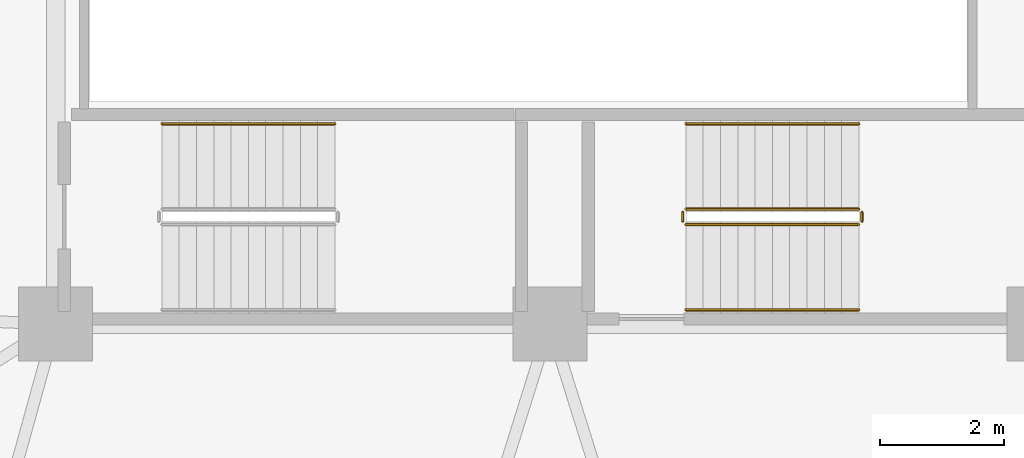
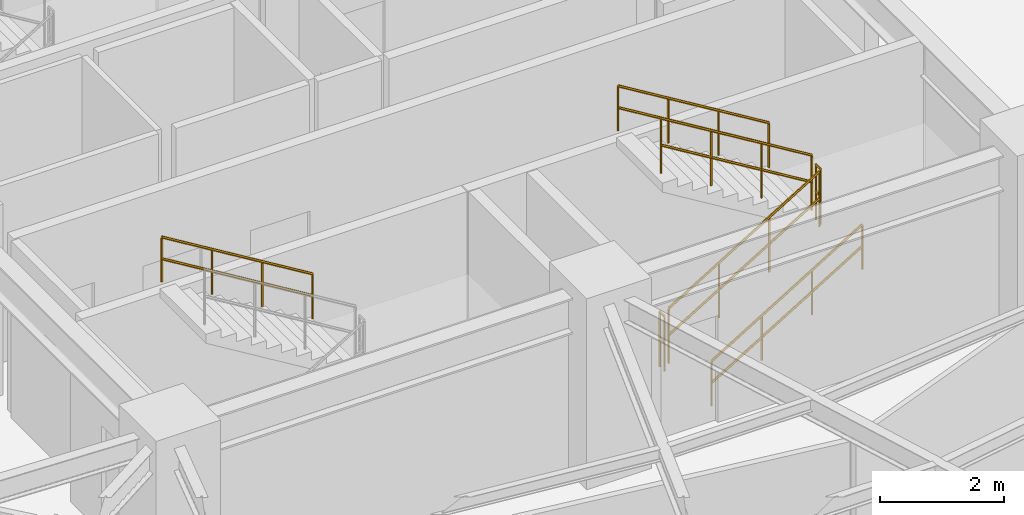
# One storey, part 29 of 31: 7 railings.
"""IFC4 building model written with IfcOpenShell, lengths in metres."""

from ifc_helpers import new_model, si_unit, direction, frame, origin, place, context, subcontext, project, spatial, polyline, outline, extrude, material, type_object, element, save


model = new_model("IFC4")

# Units and contexts
model_context = context("Model", 3, precision=1e-05, world=origin(), true_north=direction((0.0, 1.0)))
body_context = subcontext(model_context, "Body", "Model", "MODEL_VIEW")
ifc_project = project(units=[si_unit("LENGTHUNIT", "METRE"), si_unit("AREAUNIT", "SQUARE_METRE"), si_unit("VOLUMEUNIT", "CUBIC_METRE"), si_unit("PLANEANGLEUNIT", "RADIAN"), si_unit("MASSUNIT", "GRAM", prefix="KILO")], contexts=[model_context])

# Site, building, storey
site_placement = place(None, origin())
site = spatial("IfcSite", under=ifc_project, at=site_placement, CompositionType="ELEMENT")
building_placement = place(site_placement, origin())
building = spatial("IfcBuilding", under=site, at=building_placement, Name="Kelanora Arch Commons", CompositionType="ELEMENT")
storey_placement = place(building_placement, frame((0.0, 0.0, 196.949951171875)))
storey = spatial("IfcBuildingStorey", under=building, at=storey_placement, Name="L50", CompositionType="ELEMENT", Elevation=196.949951171875)

# Railings
ifc_material_1 = material(Name="Painted steel stair well guard", Category="steel")
railing_type_1 = type_object("IfcRailingType", Name="RAIL-STAIR-GRD", PredefinedType="GUARDRAIL", material=ifc_material_1)
railing_1_placement = place(storey_placement, frame((76.199951171875, 52.610107421875, 0.17041015625)))
element("IfcRailing", 1, at=railing_1_placement, inside=storey, type_object=railing_type_1, Name="L50 ST-T2 stair guard 1", PredefinedType="GUARDRAIL", context=body_context, shape_type="SweptSolid", body=[
    extrude(outline(polyline([(0.02392578125, 0.0), (0.011962890625, 0.020751953125), (-0.011962890625, 0.020751953125), (-0.02392578125, 0.0), (-0.011962890625, -0.020751953125), (0.011962890625, -0.020751953125), (0.02392578125, 0.0)])), frame((0.0, 0.0, 1.076171875), z_axis=(0.854169791009, 0.0, 0.51999420009), x_axis=(0.0, 1.0, 0.0)), (0.0, 0.0, 1.0), 3.278076171875),
    extrude(outline(polyline([(0.02392578125, 0.0), (0.011962890625, 0.020751953125), (-0.011962890625, 0.020751953125), (-0.02392578125, 0.0), (-0.011962890625, -0.020751953125), (0.011962890625, -0.020751953125), (0.02392578125, 0.0)])), frame((0.0, 0.0, 0.550048828125), z_axis=(0.854169791009, 0.0, 0.51999420009), x_axis=(0.0, 1.0, 0.0)), (0.0, 0.0, 1.0), 3.278076171875),
    extrude(outline(polyline([(0.02099609375, 0.0), (0.010498046875, 0.01806640625), (-0.010498046875, 0.01806640625), (-0.02099609375, 0.0), (-0.010498046875, -0.01806640625), (0.010498046875, -0.01806640625), (0.02099609375, 0.0)])), origin(), (0.0, 0.0, 1.0), 1.052001953125),
    extrude(outline(polyline([(0.02099609375, 0.0), (0.010498046875, 0.01806640625), (-0.010498046875, 0.01806640625), (-0.02099609375, 0.0), (-0.010498046875, -0.01806640625), (0.010498046875, -0.01806640625), (0.02099609375, 0.0)])), frame((0.933349609375, 0.0, 0.568115234375)), (0.0, 0.0, 1.0), 1.052001953125),
    extrude(outline(polyline([(0.02099609375, 0.0), (0.010498046875, 0.01806640625), (-0.010498046875, 0.01806640625), (-0.02099609375, 0.0), (-0.010498046875, -0.01806640625), (0.010498046875, -0.01806640625), (0.02099609375, 0.0)])), frame((1.86669921875, 0.0, 1.136474609375)), (0.0, 0.0, 1.0), 1.052001953125),
    extrude(outline(polyline([(0.02099609375, 0.0), (0.010498046875, 0.01806640625), (-0.010498046875, 0.01806640625), (-0.02099609375, 0.0), (-0.010498046875, -0.01806640625), (0.010498046875, -0.01806640625), (0.02099609375, 0.0)])), frame((2.800048828125, 0.0, 1.70458984375)), (0.0, 0.0, 1.0), 1.052001953125),
])
railing_2_placement = place(storey_placement, frame((79.050048828125, 52.659912109375, 1.875)))
element("IfcRailing", 2, at=railing_2_placement, inside=storey, type_object=railing_type_1, Name="L50 ST-T2 stair guard 2", PredefinedType="GUARDRAIL", context=body_context, shape_type="SweptSolid", body=[
    extrude(outline(polyline([(0.02392578125, 0.0), (0.011962890625, 0.020751953125), (-0.011962890625, 0.020751953125), (-0.02392578125, 0.0), (-0.011962890625, -0.020751953125), (0.011962890625, -0.020751953125), (0.02392578125, 0.0)])), frame((0.0, 0.0, 1.076171875), z_axis=(0.0, 1.0, 0.0), x_axis=(-1.0, 0.0, 0.0)), (0.0, 0.0, 1.0), 0.150146484375),
    extrude(outline(polyline([(0.02392578125, 0.0), (0.011962890625, 0.020751953125), (-0.011962890625, 0.020751953125), (-0.02392578125, 0.0), (-0.011962890625, -0.020751953125), (0.011962890625, -0.020751953125), (0.02392578125, 0.0)])), frame((0.0, 0.0, 0.550048828125), z_axis=(0.0, 1.0, 0.0), x_axis=(-1.0, 0.0, 0.0)), (0.0, 0.0, 1.0), 0.150146484375),
    extrude(outline(polyline([(0.02099609375, 0.0), (0.010498046875, 0.01806640625), (-0.010498046875, 0.01806640625), (-0.02099609375, 0.0), (-0.010498046875, -0.01806640625), (0.010498046875, -0.01806640625), (0.02099609375, 0.0)])), origin(), (0.0, 0.0, 1.0), 1.052001953125),
    extrude(outline(polyline([(0.02099609375, 0.0), (0.010498046875, 0.01806640625), (-0.010498046875, 0.01806640625), (-0.02099609375, 0.0), (-0.010498046875, -0.01806640625), (0.010498046875, -0.01806640625), (0.02099609375, 0.0)])), frame((0.0, 0.150146484375, 0.0)), (0.0, 0.0, 1.0), 1.052001953125),
])
railing_3_placement = place(storey_placement, frame((79.0, 52.860107421875, 2.04541015625)))
element("IfcRailing", 3, at=railing_3_placement, inside=storey, type_object=railing_type_1, Name="L50 ST-T2 stair guard 3", PredefinedType="GUARDRAIL", context=body_context, shape_type="SweptSolid", body=[
    extrude(outline(polyline([(0.02392578125, 0.0), (0.011962890625, 0.020751953125), (-0.011962890625, 0.020751953125), (-0.02392578125, 0.0), (-0.011962890625, -0.020751953125), (0.011962890625, -0.020751953125), (0.02392578125, 0.0)])), frame((0.0, 0.0, 1.076171875), z_axis=(-0.854169791009, 0.0, 0.51999420009), x_axis=(0.0, -1.0, 0.0)), (0.0, 0.0, 1.0), 3.278076171875),
    extrude(outline(polyline([(0.02392578125, 0.0), (0.011962890625, 0.020751953125), (-0.011962890625, 0.020751953125), (-0.02392578125, 0.0), (-0.011962890625, -0.020751953125), (0.011962890625, -0.020751953125), (0.02392578125, 0.0)])), frame((0.0, 0.0, 0.550048828125), z_axis=(-0.854169791009, 0.0, 0.51999420009), x_axis=(0.0, -1.0, 0.0)), (0.0, 0.0, 1.0), 3.278076171875),
    extrude(outline(polyline([(0.02099609375, 0.0), (0.010498046875, 0.01806640625), (-0.010498046875, 0.01806640625), (-0.02099609375, 0.0), (-0.010498046875, -0.01806640625), (0.010498046875, -0.01806640625), (0.02099609375, 0.0)])), origin(), (0.0, 0.0, 1.0), 1.052001953125),
    extrude(outline(polyline([(0.02099609375, 0.0), (0.010498046875, 0.01806640625), (-0.010498046875, 0.01806640625), (-0.02099609375, 0.0), (-0.010498046875, -0.01806640625), (0.010498046875, -0.01806640625), (0.02099609375, 0.0)])), frame((-0.933349609375, 0.0, 0.568115234375)), (0.0, 0.0, 1.0), 1.052001953125),
    extrude(outline(polyline([(0.02099609375, 0.0), (0.010498046875, 0.01806640625), (-0.010498046875, 0.01806640625), (-0.02099609375, 0.0), (-0.010498046875, -0.01806640625), (0.010498046875, -0.01806640625), (0.02099609375, 0.0)])), frame((-1.86669921875, 0.0, 1.136474609375)), (0.0, 0.0, 1.0), 1.052001953125),
    extrude(outline(polyline([(0.02099609375, 0.0), (0.010498046875, 0.01806640625), (-0.010498046875, 0.01806640625), (-0.02099609375, 0.0), (-0.010498046875, -0.01806640625), (0.010498046875, -0.01806640625), (0.02099609375, 0.0)])), frame((-2.800048828125, 0.0, 1.70458984375)), (0.0, 0.0, 1.0), 1.052001953125),
])
railing_4_placement = place(storey_placement, frame((76.14990234375, 52.659912109375, 0.0)))
element("IfcRailing", 4, at=railing_4_placement, inside=storey, type_object=railing_type_1, Name="L50 ST-T2 stair guard 4", PredefinedType="GUARDRAIL", context=body_context, shape_type="SweptSolid", body=[
    extrude(outline(polyline([(0.02392578125, 0.0), (0.011962890625, 0.020751953125), (-0.011962890625, 0.020751953125), (-0.02392578125, 0.0), (-0.011962890625, -0.020751953125), (0.011962890625, -0.020751953125), (0.02392578125, 0.0)])), frame((0.0, 0.0, 1.076171875), z_axis=(0.0, 1.0, 0.0), x_axis=(-1.0, 0.0, 0.0)), (0.0, 0.0, 1.0), 0.150146484375),
    extrude(outline(polyline([(0.02392578125, 0.0), (0.011962890625, 0.020751953125), (-0.011962890625, 0.020751953125), (-0.02392578125, 0.0), (-0.011962890625, -0.020751953125), (0.011962890625, -0.020751953125), (0.02392578125, 0.0)])), frame((0.0, 0.0, 0.550048828125), z_axis=(0.0, 1.0, 0.0), x_axis=(-1.0, 0.0, 0.0)), (0.0, 0.0, 1.0), 0.150146484375),
    extrude(outline(polyline([(0.02099609375, 0.0), (0.010498046875, 0.01806640625), (-0.010498046875, 0.01806640625), (-0.02099609375, 0.0), (-0.010498046875, -0.01806640625), (0.010498046875, -0.01806640625), (0.02099609375, 0.0)])), origin(), (0.0, 0.0, 1.0), 1.052001953125),
    extrude(outline(polyline([(0.02099609375, 0.0), (0.010498046875, 0.01806640625), (-0.010498046875, 0.01806640625), (-0.02099609375, 0.0), (-0.010498046875, -0.01806640625), (0.010498046875, -0.01806640625), (0.02099609375, 0.0)])), frame((0.0, 0.150146484375, 0.0)), (0.0, 0.0, 1.0), 1.052001953125),
])
ifc_material_2 = material(Name="Brushed stainless steel stair handrail", Category="steel")
railing_type_2 = type_object("IfcRailingType", Name="RAIL-STAIR-HND", PredefinedType="HANDRAIL", material=ifc_material_2)
railing_5_placement = place(storey_placement, frame((76.199951171875, 51.22998046875, 0.17041015625)))
element("IfcRailing", 5, at=railing_5_placement, inside=storey, type_object=railing_type_2, Name="L50 ST-T2 stair handrail 1", PredefinedType="HANDRAIL", context=body_context, shape_type="SweptSolid", body=[
    extrude(outline(polyline([(0.02392578125, 0.0), (0.011962890625, 0.020751953125), (-0.011962890625, 0.020751953125), (-0.02392578125, 0.0), (-0.011962890625, -0.020751953125), (0.011962890625, -0.020751953125), (0.02392578125, 0.0)])), frame((0.0, 0.0, 0.8759765625), z_axis=(0.854169791009, 0.0, 0.51999420009), x_axis=(0.0, 1.0, 0.0)), (0.0, 0.0, 1.0), 3.278076171875),
    extrude(outline(polyline([(0.02392578125, 0.0), (0.011962890625, 0.020751953125), (-0.011962890625, 0.020751953125), (-0.02392578125, 0.0), (-0.011962890625, -0.020751953125), (0.011962890625, -0.020751953125), (0.02392578125, 0.0)])), frame((0.0, 0.0, 0.449951171875), z_axis=(0.854169791009, 0.0, 0.51999420009), x_axis=(0.0, 1.0, 0.0)), (0.0, 0.0, 1.0), 3.278076171875),
    extrude(outline(polyline([(0.02099609375, 0.0), (0.010498046875, 0.01806640625), (-0.010498046875, 0.01806640625), (-0.02099609375, 0.0), (-0.010498046875, -0.01806640625), (0.010498046875, -0.01806640625), (0.02099609375, 0.0)])), origin(), (0.0, 0.0, 1.0), 0.851806640625),
    extrude(outline(polyline([(0.02099609375, 0.0), (0.010498046875, 0.01806640625), (-0.010498046875, 0.01806640625), (-0.02099609375, 0.0), (-0.010498046875, -0.01806640625), (0.010498046875, -0.01806640625), (0.02099609375, 0.0)])), frame((0.933349609375, 0.0, 0.568115234375)), (0.0, 0.0, 1.0), 0.851806640625),
    extrude(outline(polyline([(0.02099609375, 0.0), (0.010498046875, 0.01806640625), (-0.010498046875, 0.01806640625), (-0.02099609375, 0.0), (-0.010498046875, -0.01806640625), (0.010498046875, -0.01806640625), (0.02099609375, 0.0)])), frame((1.86669921875, 0.0, 1.136474609375)), (0.0, 0.0, 1.0), 0.851806640625),
    extrude(outline(polyline([(0.02099609375, 0.0), (0.010498046875, 0.01806640625), (-0.010498046875, 0.01806640625), (-0.02099609375, 0.0), (-0.010498046875, -0.01806640625), (0.010498046875, -0.01806640625), (0.02099609375, 0.0)])), frame((2.800048828125, 0.0, 1.70458984375)), (0.0, 0.0, 1.0), 0.851806640625),
])
railing_6_placement = place(storey_placement, frame((79.0, 54.239990234375, 2.04541015625)))
element("IfcRailing", 6, at=railing_6_placement, inside=storey, type_object=railing_type_2, Name="L50 ST-T2 stair handrail 2", PredefinedType="HANDRAIL", context=body_context, shape_type="SweptSolid", body=[
    extrude(outline(polyline([(0.02392578125, 0.0), (0.011962890625, 0.020751953125), (-0.011962890625, 0.020751953125), (-0.02392578125, 0.0), (-0.011962890625, -0.020751953125), (0.011962890625, -0.020751953125), (0.02392578125, 0.0)])), frame((0.0, 0.0, 0.8759765625), z_axis=(-0.854169791009, 0.0, 0.51999420009), x_axis=(0.0, -1.0, 0.0)), (0.0, 0.0, 1.0), 3.278076171875),
    extrude(outline(polyline([(0.02392578125, 0.0), (0.011962890625, 0.020751953125), (-0.011962890625, 0.020751953125), (-0.02392578125, 0.0), (-0.011962890625, -0.020751953125), (0.011962890625, -0.020751953125), (0.02392578125, 0.0)])), frame((0.0, 0.0, 0.449951171875), z_axis=(-0.854169791009, 0.0, 0.51999420009), x_axis=(0.0, -1.0, 0.0)), (0.0, 0.0, 1.0), 3.278076171875),
    extrude(outline(polyline([(0.02099609375, 0.0), (0.010498046875, 0.01806640625), (-0.010498046875, 0.01806640625), (-0.02099609375, 0.0), (-0.010498046875, -0.01806640625), (0.010498046875, -0.01806640625), (0.02099609375, 0.0)])), origin(), (0.0, 0.0, 1.0), 0.851806640625),
    extrude(outline(polyline([(0.02099609375, 0.0), (0.010498046875, 0.01806640625), (-0.010498046875, 0.01806640625), (-0.02099609375, 0.0), (-0.010498046875, -0.01806640625), (0.010498046875, -0.01806640625), (0.02099609375, 0.0)])), frame((-0.933349609375, 0.0, 0.568115234375)), (0.0, 0.0, 1.0), 0.851806640625),
    extrude(outline(polyline([(0.02099609375, 0.0), (0.010498046875, 0.01806640625), (-0.010498046875, 0.01806640625), (-0.02099609375, 0.0), (-0.010498046875, -0.01806640625), (0.010498046875, -0.01806640625), (0.02099609375, 0.0)])), frame((-1.86669921875, 0.0, 1.136474609375)), (0.0, 0.0, 1.0), 0.851806640625),
    extrude(outline(polyline([(0.02099609375, 0.0), (0.010498046875, 0.01806640625), (-0.010498046875, 0.01806640625), (-0.02099609375, 0.0), (-0.010498046875, -0.01806640625), (0.010498046875, -0.01806640625), (0.02099609375, 0.0)])), frame((-2.800048828125, 0.0, 1.70458984375)), (0.0, 0.0, 1.0), 0.851806640625),
])
railing_7_placement = place(storey_placement, frame((70.52001953125, 54.239990234375, 2.04541015625)))
element("IfcRailing", 7, at=railing_7_placement, inside=storey, type_object=railing_type_2, Name="L50 ST-T3 stair handrail 2", PredefinedType="HANDRAIL", context=body_context, shape_type="SweptSolid", body=[
    extrude(outline(polyline([(0.02392578125, 0.0), (0.011962890625, 0.020751953125), (-0.011962890625, 0.020751953125), (-0.02392578125, 0.0), (-0.011962890625, -0.020751953125), (0.011962890625, -0.020751953125), (0.02392578125, 0.0)])), frame((0.0, 0.0, 0.8759765625), z_axis=(-0.854169791009, 0.0, 0.51999420009), x_axis=(0.0, -1.0, 0.0)), (0.0, 0.0, 1.0), 3.278076171875),
    extrude(outline(polyline([(0.02392578125, 0.0), (0.011962890625, 0.020751953125), (-0.011962890625, 0.020751953125), (-0.02392578125, 0.0), (-0.011962890625, -0.020751953125), (0.011962890625, -0.020751953125), (0.02392578125, 0.0)])), frame((0.0, 0.0, 0.449951171875), z_axis=(-0.854169791009, 0.0, 0.51999420009), x_axis=(0.0, -1.0, 0.0)), (0.0, 0.0, 1.0), 3.278076171875),
    extrude(outline(polyline([(0.02099609375, 0.0), (0.010498046875, 0.01806640625), (-0.010498046875, 0.01806640625), (-0.02099609375, 0.0), (-0.010498046875, -0.01806640625), (0.010498046875, -0.01806640625), (0.02099609375, 0.0)])), origin(), (0.0, 0.0, 1.0), 0.851806640625),
    extrude(outline(polyline([(0.02099609375, 0.0), (0.010498046875, 0.01806640625), (-0.010498046875, 0.01806640625), (-0.02099609375, 0.0), (-0.010498046875, -0.01806640625), (0.010498046875, -0.01806640625), (0.02099609375, 0.0)])), frame((-0.933349609375, 0.0, 0.568115234375)), (0.0, 0.0, 1.0), 0.851806640625),
    extrude(outline(polyline([(0.02099609375, 0.0), (0.010498046875, 0.01806640625), (-0.010498046875, 0.01806640625), (-0.02099609375, 0.0), (-0.010498046875, -0.01806640625), (0.010498046875, -0.01806640625), (0.02099609375, 0.0)])), frame((-1.86669921875, 0.0, 1.136474609375)), (0.0, 0.0, 1.0), 0.851806640625),
    extrude(outline(polyline([(0.02099609375, 0.0), (0.010498046875, 0.01806640625), (-0.010498046875, 0.01806640625), (-0.02099609375, 0.0), (-0.010498046875, -0.01806640625), (0.010498046875, -0.01806640625), (0.02099609375, 0.0)])), frame((-2.800048828125, 0.0, 1.70458984375)), (0.0, 0.0, 1.0), 0.851806640625),
])

save(model, "model.ifc")
